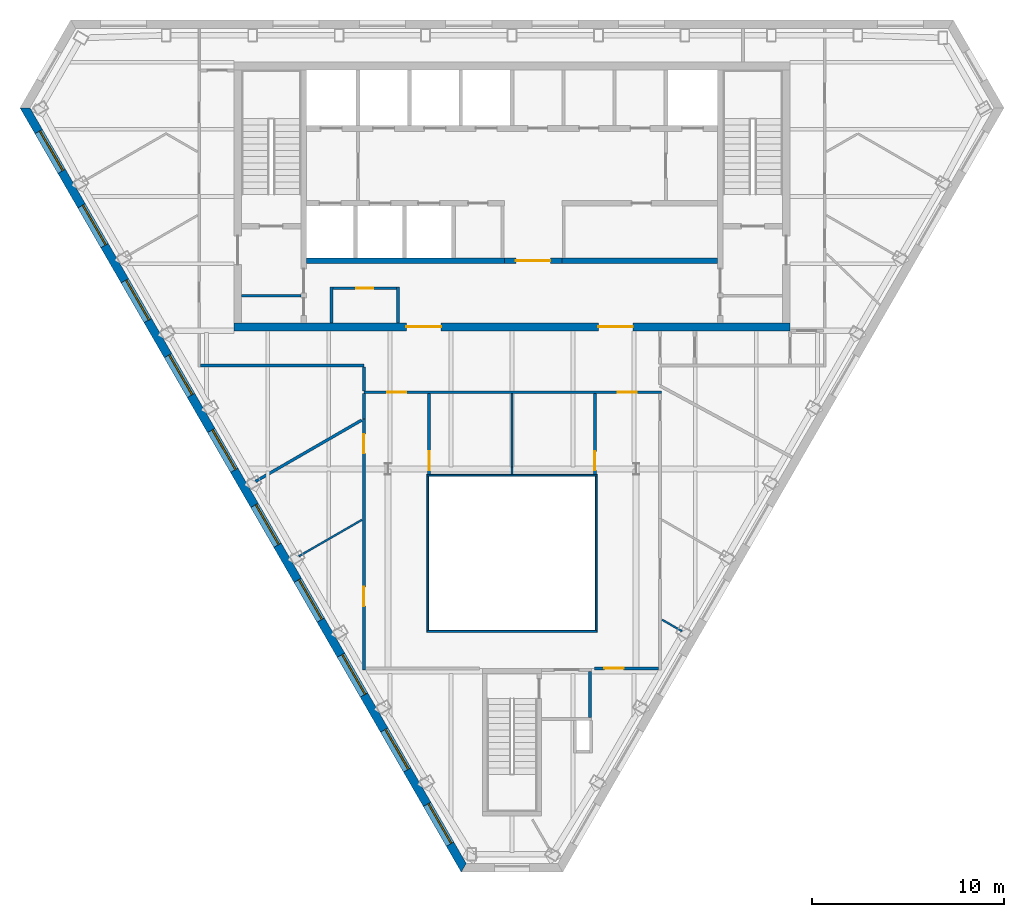
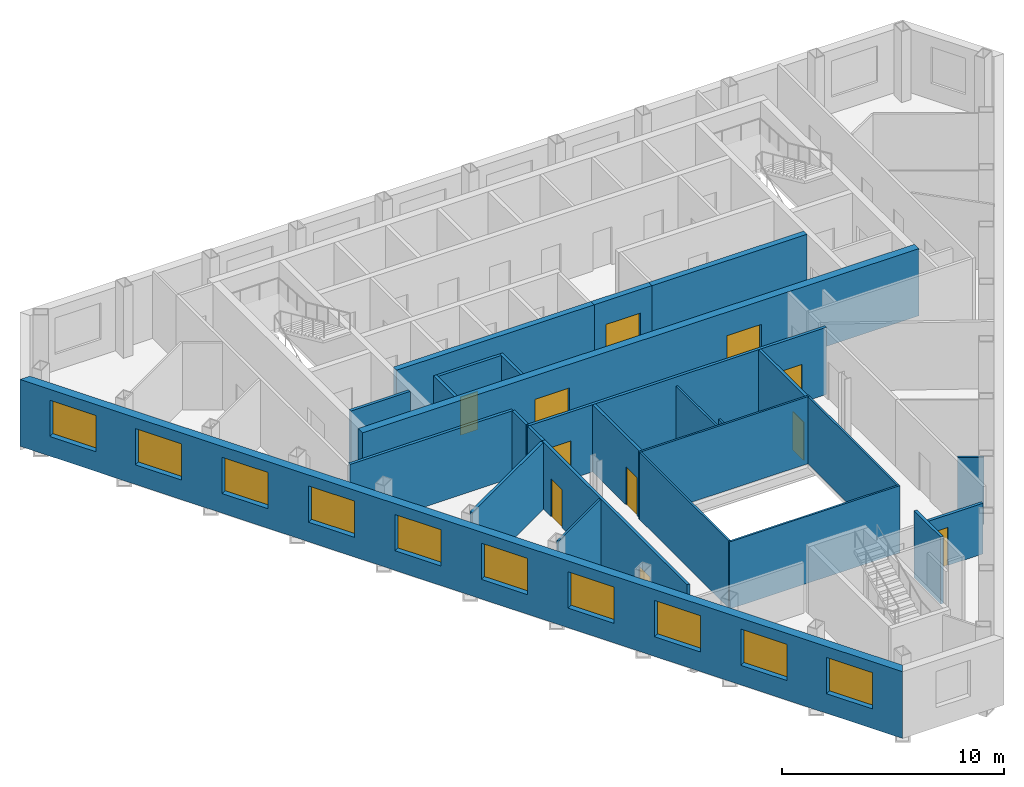
# One storey, part 4 of 10: 27 walls, 11 doors, 10 windows, 21 openings.
"""IFC4 building model written with IfcOpenShell, lengths in metres."""

import ifcopenshell
import ifcopenshell.guid

model = None  # the IFC model being written
_history = None  # IfcOwnerHistory: only IFC2X3 demands one
_inside = {}  # id of a spatial element -> (the spatial element, [elements in it])
_under = {}  # id of a project, library or spatial element -> (it, [spatial elements below it])
_declared = {}  # id of a project -> (the project, [libraries it declares])
_typed = {}  # id of a type object -> (the type object, [elements of that type])
_made_of = {}  # id of a material, layer set ... -> (it, [elements and type objects made of it])


def new_model(schema):
    """Start an empty IFC model of exactly this schema.

    Asked for "IFC4X3", IfcOpenShell would pick the latest addendum, in which some entities
    have other attributes; the version numbers below select the first issue.
    IFC2X3 requires an IfcOwnerHistory on every rooted entity: one is made here for all.
    """
    global model, _history
    if schema == "IFC4X3":
        model = ifcopenshell.file(schema_version=(4, 3, 0, 0))
    else:
        model = ifcopenshell.file(schema=schema)
    _inside.clear()
    _under.clear()
    _declared.clear()
    _typed.clear()
    _made_of.clear()
    _history = None
    if model.schema == "IFC2X3":
        org = make("IfcOrganization", Name="unknown")
        user = make(
            "IfcPersonAndOrganization",
            ThePerson=make("IfcPerson", FamilyName="unknown"),
            TheOrganization=org,
        )
        app = make(
            "IfcApplication",
            ApplicationDeveloper=org,
            Version="unknown",
            ApplicationFullName="unknown",
            ApplicationIdentifier="unknown",
        )
        _history = make(
            "IfcOwnerHistory",
            OwningUser=user,
            OwningApplication=app,
            ChangeAction="ADDED",
            CreationDate=0,
        )
    return model


def make(cls, **values):
    """One entity of the class cls with the attributes given. An attribute that is None is left unset."""
    return model.create_entity(
        cls, **{name: value for name, value in values.items() if value is not None}
    )


def rooted(cls, **values):
    """An entity with a GlobalId (a new one), such as an element, a storey or a relation."""
    return make(cls, GlobalId=ifcopenshell.guid.new(), OwnerHistory=_history, **values)


def si_unit(unit_type, name, prefix=None):
    """IfcSIUnit, for example si_unit("LENGTHUNIT", "METRE", prefix="MILLI")."""
    return make("IfcSIUnit", UnitType=unit_type, Prefix=prefix, Name=name)


def assignment(units):
    """IfcUnitAssignment: the units of a project."""
    return None if units is None else make("IfcUnitAssignment", Units=units)


def point(xyz):
    """IfcCartesianPoint."""
    return None if xyz is None else make("IfcCartesianPoint", Coordinates=xyz)


def direction(xyz):
    """IfcDirection."""
    return None if xyz is None else make("IfcDirection", DirectionRatios=xyz)


def frame(location, z_axis=None, x_axis=None):
    """IfcAxis2Placement3D, a coordinate frame: its origin and axes. An axis left out is left unset."""
    return make(
        "IfcAxis2Placement3D",
        Location=point(location),
        Axis=direction(z_axis),
        RefDirection=direction(x_axis),
    )


def frame_2d(location, x_axis=None):
    """IfcAxis2Placement2D, a coordinate frame in the plane: its origin and x axis."""
    return make(
        "IfcAxis2Placement2D", Location=point(location), RefDirection=direction(x_axis)
    )


def origin():
    """The frame at (0, 0, 0) with its axes left unset."""
    return frame((0.0, 0.0, 0.0))


def place(relative_to, where):
    """IfcLocalPlacement: puts the frame where relative to a parent placement (None: the world)."""
    return make(
        "IfcLocalPlacement", PlacementRelTo=relative_to, RelativePlacement=where
    )


def context(
    kind, dimensions, precision=None, world=None, true_north=None, identifier=None
):
    """IfcGeometricRepresentationContext, for example the 3D "Model" context."""
    return make(
        "IfcGeometricRepresentationContext",
        ContextIdentifier=identifier,
        ContextType=kind,
        CoordinateSpaceDimension=dimensions,
        Precision=precision,
        WorldCoordinateSystem=world,
        TrueNorth=true_north,
    )


def subcontext(parent, identifier, kind, view, scale=None):
    """IfcGeometricRepresentationSubContext, for example "Body" below "Model"."""
    return make(
        "IfcGeometricRepresentationSubContext",
        ContextIdentifier=identifier,
        ContextType=kind,
        ParentContext=parent,
        TargetScale=scale,
        TargetView=view,
    )


def project(units=None, contexts=None):
    """IfcProject with its units and contexts."""
    return rooted(
        "IfcProject",
        Name="project",
        RepresentationContexts=contexts,
        UnitsInContext=assignment(units),
    )


def spatial(cls, under=None, at=None, **own):
    """A site, building, storey or space (cls), placed at a placement, below another one or the project."""
    s = rooted(cls, ObjectPlacement=at, **own)
    if under is not None:
        _under.setdefault(under.id(), (under, []))[1].append(s)
    return s


def polyline(points):
    """IfcPolyline through the points."""
    return make("IfcPolyline", Points=[point(p) for p in points])


def profile(cls, at=None, kind="AREA", **sizes):
    """A parametric profile (cls). Its sizes go by their IFC names, for example OverallWidth=200.0."""
    return make(cls, ProfileType=kind, Position=at, **sizes)


def rectangle(**sizes):
    """IfcRectangleProfileDef."""
    return profile("IfcRectangleProfileDef", **sizes)


def outline(outer, holes=None, kind="AREA"):
    """IfcArbitraryClosedProfileDef: a profile drawn as a closed curve; with holes, ...WithVoids."""
    if holes is None:
        return make("IfcArbitraryClosedProfileDef", ProfileType=kind, OuterCurve=outer)
    return make(
        "IfcArbitraryProfileDefWithVoids",
        ProfileType=kind,
        OuterCurve=outer,
        InnerCurves=holes,
    )


def extrude(swept, where, along, depth):
    """IfcExtrudedAreaSolid: the profile swept, set in the frame where, extruded along a direction by depth."""
    return make(
        "IfcExtrudedAreaSolid",
        SweptArea=swept,
        Position=where,
        ExtrudedDirection=direction(along),
        Depth=depth,
    )


def shape(context_of_items, identifier, shape_type, items):
    """IfcShapeRepresentation: the items that make up one representation, for example the "Body"."""
    return make(
        "IfcShapeRepresentation",
        ContextOfItems=context_of_items,
        RepresentationIdentifier=identifier,
        RepresentationType=shape_type,
        Items=items,
    )


def material(Name=None, Category=None):
    """IfcMaterial."""
    return make("IfcMaterial", Name=Name, Category=Category)


def layer(
    of_material, thickness, ventilated=None, Name=None, Category=None, Priority=None
):
    """IfcMaterialLayer: one layer of a wall or slab, of a material (None: an air gap)."""
    return make(
        "IfcMaterialLayer",
        Material=of_material,
        LayerThickness=thickness,
        IsVentilated=ventilated,
        Name=Name,
        Category=Category,
        Priority=Priority,
    )


def layer_set(layers, Name=None):
    """IfcMaterialLayerSet."""
    return make("IfcMaterialLayerSet", MaterialLayers=layers, LayerSetName=Name)


def made_of(thing, what):
    """Note that an element or type object is made of a material, layer set ...; save() writes the relation."""
    if what is not None:
        _made_of.setdefault(what.id(), (what, []))[1].append(thing)
    return thing


def type_object(cls, material=None, **own):
    """A type object (cls), such as IfcWallType, which elements share."""
    return made_of(rooted(cls, **own), material)


def element(
    cls,
    number,
    at=None,
    inside=None,
    cuts=None,
    type_object=None,
    material=None,
    context=None,
    identifier="Body",
    shape_type=None,
    held_by="IfcProductDefinitionShape",
    body=None,
    shapes=None,
    **own,
):
    """One element of the class cls, such as IfcWall. Its Tag is "e" and its number.

    at: its placement. inside: the storey or other place that contains it. cuts: it is an
    opening in that element (IfcRelVoidsElement). A single representation is given by context,
    identifier, shape_type and body (its items); several are given by shapes. held_by: the class
    of the entity that holds the representations. save() writes the other relations.
    """
    e = rooted(cls, Tag="e%d" % number, ObjectPlacement=at, **own)
    if body is not None:
        shapes = [shape(context, identifier, shape_type, body)]
    if shapes is not None:
        e.Representation = make(held_by, Representations=shapes)
    if inside is not None:
        _inside.setdefault(inside.id(), (inside, []))[1].append(e)
    if cuts is not None:
        rooted(
            "IfcRelVoidsElement", RelatingBuildingElement=cuts, RelatedOpeningElement=e
        )
    if type_object is not None:
        _typed.setdefault(type_object.id(), (type_object, []))[1].append(e)
    return made_of(e, material)


def fill(opening, filler):
    """IfcRelFillsElement: the door or window that sits in an opening."""
    return rooted(
        "IfcRelFillsElement",
        RelatingOpeningElement=opening,
        RelatedBuildingElement=filler,
    )


def aggregate(whole, parts):
    """IfcRelAggregates: a whole, such as a stair, and the parts it consists of."""
    return rooted("IfcRelAggregates", RelatingObject=whole, RelatedObjects=parts)


def save(model, path):
    """Write the relations noted so far, then the file.

    IfcRelAggregates (storeys below a building ...), IfcRelContainedInSpatialStructure (elements
    in a storey), IfcRelDefinesByType, IfcRelAssociatesMaterial and IfcRelDeclares: one each for
    every whole, place, type object, material and project.
    """
    for whole, parts in _under.values():
        aggregate(whole, parts)
    for where, things in _inside.values():
        rooted(
            "IfcRelContainedInSpatialStructure",
            RelatedElements=things,
            RelatingStructure=where,
        )
    for kind, things in _typed.values():
        rooted("IfcRelDefinesByType", RelatedObjects=things, RelatingType=kind)
    for what, things in _made_of.values():
        rooted("IfcRelAssociatesMaterial", RelatedObjects=things, RelatingMaterial=what)
    for by, libraries in _declared.values():
        rooted("IfcRelDeclares", RelatingContext=by, RelatedDefinitions=libraries)
    model.write(path)


model = new_model("IFC4")

# Units and contexts
model_context = context("Model", 3, precision=1e-05, world=origin(), true_north=direction((0.0, 1.0)))
body_context = subcontext(model_context, "Body", "Model", "MODEL_VIEW")
ifc_project = project(units=[si_unit("LENGTHUNIT", "METRE"), si_unit("AREAUNIT", "SQUARE_METRE"), si_unit("VOLUMEUNIT", "CUBIC_METRE"), si_unit("PLANEANGLEUNIT", "RADIAN"), si_unit("MASSUNIT", "GRAM", prefix="KILO")], contexts=[model_context])

# Site, building, storey
site_placement = place(None, origin())
site = spatial("IfcSite", under=ifc_project, at=site_placement, CompositionType="ELEMENT")
building_placement = place(site_placement, origin())
building = spatial("IfcBuilding", under=site, at=building_placement, Name="Njiva Tower", CompositionType="ELEMENT")
storey_placement = place(building_placement, frame((0.0, 0.0, 280.5)))
storey = spatial("IfcBuildingStorey", under=building, at=storey_placement, Name="L64", CompositionType="ELEMENT", Elevation=280.5)

# Walls
ifc_material_1 = material(Name="Blockwork", Category="masonry")
ifc_layer_1 = layer(ifc_material_1, 0.15)
ifc_layer_set_1 = layer_set([ifc_layer_1], Name="Blockwork")
wall_type_1 = type_object("IfcWallType", Name="WT1 Compartment partition 150", PredefinedType="PARTITIONING", material=ifc_layer_set_1)
wall_1_placement = place(storey_placement, frame((-14.1, 5.825, 0.0), z_axis=(0.0, 0.0, 1.0), x_axis=(1.0, 0.0, 0.0)))
element("IfcWall", 1, at=wall_1_placement, inside=storey, type_object=wall_type_1, Name="Room wall A", PredefinedType="PARTITIONING", context=body_context, shape_type="SweptSolid", body=[
    extrude(rectangle(XDim=3.1, YDim=0.15, at=frame_2d((1.55, 0.0))), origin(), (0.0, 0.0, 1.0), 3.7),
])
for number, where, z_axis, x_axis, name in (
    (2, (-9.4, 4.4, 0.0), (0.0, 0.0, 1.0), (0.0, 1.0, 0.0), "Parcel room wall west"),
    (3, (-5.95, 4.4, 0.0), (0.0, 0.0, 1.0), (0.0, 1.0, 0.0), "Parcel room wall east"),
):
    element("IfcWall", number, at=place(storey_placement, frame(where, z_axis=z_axis, x_axis=x_axis)), inside=storey, type_object=wall_type_1, Name=name, PredefinedType="PARTITIONING", context=body_context, shape_type="SweptSolid", body=[
        extrude(rectangle(XDim=1.895, YDim=0.15, at=frame_2d((0.9475, 0.0))), origin(), (0.0, 0.0, 1.0), 3.7),
    ])

# Wall, opening, door
wall_2_placement = place(storey_placement, frame((-9.325, 6.22, 0.0), z_axis=(0.0, 0.0, 1.0), x_axis=(1.0, 0.0, 0.0)))
wall_2 = element("IfcWall", 4, at=wall_2_placement, inside=storey, type_object=wall_type_1, Name="Parcel room wall north", PredefinedType="PARTITIONING", context=body_context, shape_type="SweptSolid", body=[
    extrude(rectangle(XDim=3.3, YDim=0.15, at=frame_2d((1.65, 0.0))), origin(), (0.0, 0.0, 1.0), 3.7),
])
opening_1_placement = place(wall_2_placement, frame((1.2, 0.0, 0.0)))
opening_1 = element("IfcOpeningElement", 5, at=opening_1_placement, cuts=wall_2, Name="Opening S21-D924", PredefinedType="OPENING", context=body_context, shape_type="SweptSolid", body=[
    extrude(rectangle(XDim=0.9, YDim=2.1, at=frame_2d((0.45, 1.05))), frame((0.0, 0.085, 0.0), z_axis=(0.0, -1.0, 0.0), x_axis=(1.0, 0.0, 0.0)), (0.0, 0.0, 1.0), 0.17),
])
ifc_material_2 = material(Name="Steel fire door, painted", Category="steel")
door_type_1 = type_object("IfcDoorType", Name="D6 Fire-rated door 900x2100", OperationType="SINGLE_SWING_LEFT", PredefinedType="DOOR", material=ifc_material_2)
door_1_placement = place(opening_1_placement, origin())
door_1 = element("IfcDoor", 6, at=door_1_placement, inside=storey, type_object=door_type_1, Name="Parcel room door", OperationType="SINGLE_SWING_RIGHT", OverallHeight=2.1, OverallWidth=0.9, PredefinedType="DOOR", context=body_context, shape_type="SweptSolid", body=[
    extrude(rectangle(XDim=0.9, YDim=2.1, at=frame_2d((0.45, 1.05))), frame((0.0, 0.025, 0.0), z_axis=(0.0, -1.0, 0.0), x_axis=(1.0, 0.0, 0.0)), (0.0, 0.0, 1.0), 0.05),
])
fill(opening_1, door_1)

# Wall, openings, doors
ifc_material_3 = material(Name="Concrete C60/75", Category="concrete")
ifc_layer_2 = layer(ifc_material_3, 0.4)
ifc_layer_set_2 = layer_set([ifc_layer_2], Name="Concrete C60/75")
wall_type_2 = type_object("IfcWallType", Name="WT11 Core wall 400", PredefinedType="SHEAR", material=ifc_layer_set_2)
wall_3_placement = place(storey_placement, frame((-14.5, 4.2, 0.0), z_axis=(0.0, 0.0, 1.0), x_axis=(1.0, 0.0, 0.0)))
wall_3 = element("IfcWall", 7, at=wall_3_placement, inside=storey, type_object=wall_type_2, Name="Core wall south", PredefinedType="SHEAR", context=body_context, shape_type="SweptSolid", body=[
    extrude(rectangle(XDim=29.0, YDim=0.4, at=frame_2d((14.5, 0.0))), origin(), (0.0, 0.0, 1.0), 3.7),
])
opening_2_placement = place(wall_3_placement, frame((9.0, 0.0, 0.0)))
opening_2 = element("IfcOpeningElement", 8, at=opening_2_placement, cuts=wall_3, Name="Opening S21-D926", PredefinedType="OPENING", context=body_context, shape_type="SweptSolid", body=[
    extrude(rectangle(XDim=1.8, YDim=2.4, at=frame_2d((0.9, 1.2))), frame((0.0, 0.21, 0.0), z_axis=(0.0, -1.0, 0.0), x_axis=(1.0, 0.0, 0.0)), (0.0, 0.0, 1.0), 0.42),
])
opening_3_placement = place(wall_3_placement, frame((19.0, 0.0, 0.0)))
opening_3 = element("IfcOpeningElement", 9, at=opening_3_placement, cuts=wall_3, Name="Opening S21-D927", PredefinedType="OPENING", context=body_context, shape_type="SweptSolid", body=[
    extrude(rectangle(XDim=1.8, YDim=2.4, at=frame_2d((0.9, 1.2))), frame((0.0, 0.21, 0.0), z_axis=(0.0, -1.0, 0.0), x_axis=(1.0, 0.0, 0.0)), (0.0, 0.0, 1.0), 0.42),
])
ifc_material_4 = material(Name="Steel and glass door", Category="steel")
door_type_2 = type_object("IfcDoorType", Name="D3 Core entrance door 1800x2400", OperationType="DOUBLE_DOOR_SINGLE_SWING", PredefinedType="DOOR", material=ifc_material_4)
door_2_placement = place(opening_2_placement, origin())
door_2 = element("IfcDoor", 10, at=door_2_placement, inside=storey, type_object=door_type_2, Name="Core entrance door", OperationType="DOUBLE_DOOR_SINGLE_SWING", OverallHeight=2.4, OverallWidth=1.8, PredefinedType="DOOR", context=body_context, shape_type="SweptSolid", body=[
    extrude(rectangle(XDim=1.8, YDim=2.4, at=frame_2d((0.9, 1.2))), frame((0.0, 0.025, 0.0), z_axis=(0.0, -1.0, 0.0), x_axis=(1.0, 0.0, 0.0)), (0.0, 0.0, 1.0), 0.05),
])
fill(opening_2, door_2)
door_3_placement = place(opening_3_placement, origin())
door_3 = element("IfcDoor", 11, at=door_3_placement, inside=storey, type_object=door_type_2, Name="Core entrance door", OperationType="DOUBLE_DOOR_SINGLE_SWING", OverallHeight=2.4, OverallWidth=1.8, PredefinedType="DOOR", context=body_context, shape_type="SweptSolid", body=[
    extrude(rectangle(XDim=1.8, YDim=2.4, at=frame_2d((0.9, 1.2))), frame((0.0, 0.025, 0.0), z_axis=(0.0, -1.0, 0.0), x_axis=(1.0, 0.0, 0.0)), (0.0, 0.0, 1.0), 0.05),
])
fill(opening_3, door_3)

# Walls
ifc_material_5 = material(Name="Gypsum board on steel studs", Category="gypsum")
ifc_layer_3 = layer(ifc_material_5, 0.1)
ifc_layer_set_3 = layer_set([ifc_layer_3], Name="Gypsum board on steel studs")
wall_type_3 = type_object("IfcWallType", Name="WT20 Gypsum partition 100", PredefinedType="PARTITIONING", material=ifc_layer_set_3)
wall_4_placement = place(storey_placement, frame((-11.112, -7.753, 0.0), z_axis=(0.0, 0.0, 1.0), x_axis=(0.86609797283, 0.499874285655, 0.0)))
element("IfcWall", 12, at=wall_4_placement, inside=storey, type_object=wall_type_3, Name="Partition S21-P009", PredefinedType="PARTITIONING", context=body_context, shape_type="SweptSolid", body=[
    extrude(rectangle(XDim=3.801, YDim=0.1, at=frame_2d((1.9005, 0.0))), origin(), (0.0, 0.0, 1.0), 3.7),
])
wall_5_placement = place(storey_placement, frame((-0.001, 0.725, 0.0), z_axis=(0.0, 0.0, 1.0), x_axis=(0.000235294111, -0.999999972318, 0.0)))
element("IfcWall", 13, at=wall_5_placement, inside=storey, type_object=wall_type_3, Name="Partition S21-P016", PredefinedType="PARTITIONING", context=body_context, shape_type="SweptSolid", body=[
    extrude(rectangle(XDim=3.825, YDim=0.1, at=frame_2d((1.9125, 0.0))), origin(), (0.0, 0.0, 1.0), 3.2),
])
wall_6_placement = place(storey_placement, frame((-0.0001, -3.1, 0.0), z_axis=(0.0, 0.0, 1.0), x_axis=(0.000263157886, -0.999999965374, 0.0)))
element("IfcWall", 14, at=wall_6_placement, inside=storey, type_object=wall_type_3, Name="Partition S21-P016A", PredefinedType="PARTITIONING", context=body_context, shape_type="SweptSolid", body=[
    extrude(rectangle(XDim=0.38, YDim=0.1, at=frame_2d((0.19, 0.0))), origin(), (0.0, 0.0, 1.0), 3.7),
])
wall_7_placement = place(storey_placement, frame((7.82, -11.058, 0.0), z_axis=(0.0, 0.0, 1.0), x_axis=(0.866130014302, -0.499818765479, 0.0)))
element("IfcWall", 15, at=wall_7_placement, inside=storey, type_object=wall_type_3, Name="Partition S21-P027", PredefinedType="PARTITIONING", context=body_context, shape_type="SweptSolid", body=[
    extrude(rectangle(XDim=1.1984, YDim=0.1, at=frame_2d((0.5992, 0.0))), origin(), (0.0, 0.0, 1.0), 3.7),
])
ifc_layer_4 = layer(ifc_material_5, 0.15)
ifc_layer_set_4 = layer_set([ifc_layer_4], Name="Gypsum board on steel studs")
wall_type_4 = type_object("IfcWallType", Name="WT21 Compartment wall 150", PredefinedType="PARTITIONING", material=ifc_layer_set_4)
wall_8_placement = place(storey_placement, frame((-16.225, 2.2, 0.0), z_axis=(0.0, 0.0, 1.0), x_axis=(1.0, 0.0, 0.0)))
element("IfcWall", 16, at=wall_8_placement, inside=storey, type_object=wall_type_4, Name="Partition S21-P006", PredefinedType="PARTITIONING", context=body_context, shape_type="SweptSolid", body=[
    extrude(rectangle(XDim=8.503, YDim=0.15, at=frame_2d((4.2515, 0.0))), origin(), (0.0, 0.0, 1.0), 3.7),
])
wall_9_placement = place(storey_placement, frame((-13.366, -3.85, 0.0), z_axis=(0.0, 0.0, 1.0), x_axis=(0.865990094875, 0.500061151839, 0.0)))
element("IfcWall", 17, at=wall_9_placement, inside=storey, type_object=wall_type_4, Name="Partition S21-P008", PredefinedType="PARTITIONING", context=body_context, shape_type="SweptSolid", body=[
    extrude(rectangle(XDim=6.3892, YDim=0.15, at=frame_2d((3.1946, 0.0))), origin(), (0.0, 0.0, 1.0), 3.7),
])

# Wall, openings, doors
wall_10_placement = place(storey_placement, frame((-7.72, -13.675, 0.0), z_axis=(0.0, 0.0, 1.0), x_axis=(0.0, 1.0, 0.0)))
wall_10 = element("IfcWall", 18, at=wall_10_placement, inside=storey, type_object=wall_type_4, Name="Partition S21-P010", PredefinedType="PARTITIONING", context=body_context, shape_type="SweptSolid", body=[
    extrude(rectangle(XDim=13.085, YDim=0.15, at=frame_2d((6.5425, 0.0))), origin(), (0.0, 0.0, 1.0), 3.7),
])
opening_4_placement = place(wall_10_placement, frame((3.327, 0.0, 0.0)))
opening_4 = element("IfcOpeningElement", 19, at=opening_4_placement, cuts=wall_10, Name="Opening S21-D005", PredefinedType="OPENING", context=body_context, shape_type="SweptSolid", body=[
    extrude(rectangle(XDim=1.0, YDim=2.1, at=frame_2d((0.5, 1.05))), frame((0.0, 0.085, 0.0), z_axis=(0.0, -1.0, 0.0), x_axis=(1.0, 0.0, 0.0)), (0.0, 0.0, 1.0), 0.17),
])
opening_5_placement = place(wall_10_placement, frame((11.284, 0.0, 0.0)))
opening_5 = element("IfcOpeningElement", 20, at=opening_5_placement, cuts=wall_10, Name="Opening S21-D006", PredefinedType="OPENING", context=body_context, shape_type="SweptSolid", body=[
    extrude(rectangle(XDim=1.0, YDim=2.1, at=frame_2d((0.5, 1.05))), frame((0.0, 0.085, 0.0), z_axis=(0.0, -1.0, 0.0), x_axis=(1.0, 0.0, 0.0)), (0.0, 0.0, 1.0), 0.17),
])
ifc_material_6 = material(Name="Steel fire door set", Category="steel")
door_type_3 = type_object("IfcDoorType", Name="D37 Fire door 1000x2100", OperationType="SINGLE_SWING_LEFT", PredefinedType="DOOR", material=ifc_material_6)
door_4_placement = place(opening_4_placement, origin())
door_4 = element("IfcDoor", 21, at=door_4_placement, inside=storey, type_object=door_type_3, Name="Door S21-D005", OperationType="SINGLE_SWING_RIGHT", OverallHeight=2.1, OverallWidth=1.0, PredefinedType="DOOR", context=body_context, shape_type="SweptSolid", body=[
    extrude(rectangle(XDim=1.0, YDim=2.1, at=frame_2d((0.5, 1.05))), frame((0.0, 0.025, 0.0), z_axis=(0.0, -1.0, 0.0), x_axis=(1.0, 0.0, 0.0)), (0.0, 0.0, 1.0), 0.05),
])
fill(opening_4, door_4)
door_5_placement = place(opening_5_placement, origin())
door_5 = element("IfcDoor", 22, at=door_5_placement, inside=storey, type_object=door_type_3, Name="Door S21-D006", OperationType="SINGLE_SWING_LEFT", OverallHeight=2.1, OverallWidth=1.0, PredefinedType="DOOR", context=body_context, shape_type="SweptSolid", body=[
    extrude(rectangle(XDim=1.0, YDim=2.1, at=frame_2d((0.5, 1.05))), frame((0.0, 0.025, 0.0), z_axis=(0.0, -1.0, 0.0), x_axis=(1.0, 0.0, 0.0)), (0.0, 0.0, 1.0), 0.05),
])
fill(opening_5, door_5)

# Wall
wall_11_placement = place(storey_placement, frame((-7.72, -0.588, 0.0), z_axis=(0.0, 0.0, 1.0), x_axis=(0.0, 1.0, 0.0)))
element("IfcWall", 23, at=wall_11_placement, inside=storey, type_object=wall_type_4, Name="Partition S21-P011", PredefinedType="PARTITIONING", context=body_context, shape_type="SweptSolid", body=[
    extrude(rectangle(XDim=1.313, YDim=0.15, at=frame_2d((0.6565, 0.0))), origin(), (0.0, 0.0, 1.0), 3.7),
])

# Wall, openings, doors
wall_12_placement = place(storey_placement, frame((-7.72, 0.8, 0.0), z_axis=(0.0, 0.0, 1.0), x_axis=(1.0, 0.0, 0.0)))
wall_12 = element("IfcWall", 24, at=wall_12_placement, inside=storey, type_object=wall_type_4, Name="Partition S21-P012", PredefinedType="PARTITIONING", context=body_context, shape_type="SweptSolid", body=[
    extrude(rectangle(XDim=15.515, YDim=0.15, at=frame_2d((7.7575, 0.0))), origin(), (0.0, 0.0, 1.0), 3.7),
])
opening_6_placement = place(wall_12_placement, frame((1.206, 0.0, 0.0)))
opening_6 = element("IfcOpeningElement", 25, at=opening_6_placement, cuts=wall_12, Name="Opening S21-D007", PredefinedType="OPENING", context=body_context, shape_type="SweptSolid", body=[
    extrude(rectangle(XDim=1.0, YDim=2.1, at=frame_2d((0.5, 1.05))), frame((0.0, 0.085, 0.0), z_axis=(0.0, -1.0, 0.0), x_axis=(1.0, 0.0, 0.0)), (0.0, 0.0, 1.0), 0.17),
])
opening_7_placement = place(wall_12_placement, frame((13.234, 0.0, 0.0)))
opening_7 = element("IfcOpeningElement", 26, at=opening_7_placement, cuts=wall_12, Name="Opening S21-D008", PredefinedType="OPENING", context=body_context, shape_type="SweptSolid", body=[
    extrude(rectangle(XDim=1.0, YDim=2.1, at=frame_2d((0.5, 1.05))), frame((0.0, 0.085, 0.0), z_axis=(0.0, -1.0, 0.0), x_axis=(1.0, 0.0, 0.0)), (0.0, 0.0, 1.0), 0.17),
])
door_6_placement = place(opening_6_placement, origin())
door_6 = element("IfcDoor", 27, at=door_6_placement, inside=storey, type_object=door_type_3, Name="Door S21-D007", OperationType="SINGLE_SWING_RIGHT", OverallHeight=2.1, OverallWidth=1.0, PredefinedType="DOOR", context=body_context, shape_type="SweptSolid", body=[
    extrude(rectangle(XDim=1.0, YDim=2.1, at=frame_2d((0.5, 1.05))), frame((0.0, 0.025, 0.0), z_axis=(0.0, -1.0, 0.0), x_axis=(1.0, 0.0, 0.0)), (0.0, 0.0, 1.0), 0.05),
])
fill(opening_6, door_6)
door_7_placement = place(opening_7_placement, origin())
door_7 = element("IfcDoor", 28, at=door_7_placement, inside=storey, type_object=door_type_3, Name="Door S21-D008", OperationType="SINGLE_SWING_LEFT", OverallHeight=2.1, OverallWidth=1.0, PredefinedType="DOOR", context=body_context, shape_type="SweptSolid", body=[
    extrude(rectangle(XDim=1.0, YDim=2.1, at=frame_2d((0.5, 1.05))), frame((0.0, 0.025, 0.0), z_axis=(0.0, -1.0, 0.0), x_axis=(1.0, 0.0, 0.0)), (0.0, 0.0, 1.0), 0.05),
])
fill(opening_7, door_7)

# Wall
wall_13_placement = place(storey_placement, frame((-7.72, 0.875, 0.0), z_axis=(0.0, 0.0, 1.0), x_axis=(0.0, 1.0, 0.0)))
element("IfcWall", 29, at=wall_13_placement, inside=storey, type_object=wall_type_4, Name="Partition S21-P013", PredefinedType="PARTITIONING", context=body_context, shape_type="SweptSolid", body=[
    extrude(rectangle(XDim=1.25, YDim=0.15, at=frame_2d((0.625, 0.0))), origin(), (0.0, 0.0, 1.0), 3.7),
])

# Wall, opening, door
wall_14_placement = place(storey_placement, frame((-4.32, -3.48, 0.0), z_axis=(0.0, 0.0, 1.0), x_axis=(0.0, 1.0, 0.0)))
wall_14 = element("IfcWall", 30, at=wall_14_placement, inside=storey, type_object=wall_type_4, Name="Partition S21-P015", PredefinedType="PARTITIONING", context=body_context, shape_type="SweptSolid", body=[
    extrude(rectangle(XDim=4.205, YDim=0.15, at=frame_2d((2.1025, 0.0))), origin(), (0.0, 0.0, 1.0), 3.7),
])
opening_8_placement = place(wall_14_placement, frame((0.2, 0.0, 0.0)))
opening_8 = element("IfcOpeningElement", 31, at=opening_8_placement, cuts=wall_14, Name="Opening S21-D009", PredefinedType="OPENING", context=body_context, shape_type="SweptSolid", body=[
    extrude(rectangle(XDim=1.0, YDim=2.1, at=frame_2d((0.5, 1.05))), frame((0.0, 0.085, 0.0), z_axis=(0.0, -1.0, 0.0), x_axis=(1.0, 0.0, 0.0)), (0.0, 0.0, 1.0), 0.17),
])
door_8_placement = place(opening_8_placement, origin())
door_8 = element("IfcDoor", 32, at=door_8_placement, inside=storey, type_object=door_type_3, Name="Door S21-D009", OperationType="SINGLE_SWING_LEFT", OverallHeight=2.1, OverallWidth=1.0, PredefinedType="DOOR", context=body_context, shape_type="SweptSolid", body=[
    extrude(rectangle(XDim=1.0, YDim=2.1, at=frame_2d((0.5, 1.05))), frame((0.0, 0.025, 0.0), z_axis=(0.0, -1.0, 0.0), x_axis=(1.0, 0.0, 0.0)), (0.0, 0.0, 1.0), 0.05),
])
fill(opening_8, door_8)

wall_15_placement = place(storey_placement, frame((4.3, -13.6, 0.0), z_axis=(0.0, 0.0, 1.0), x_axis=(1.0, 0.0, 0.0)))
wall_15 = element("IfcWall", 33, at=wall_15_placement, inside=storey, type_object=wall_type_4, Name="Partition S21-P018", PredefinedType="PARTITIONING", context=body_context, shape_type="SweptSolid", body=[
    extrude(rectangle(XDim=3.345, YDim=0.15, at=frame_2d((1.6725, 0.0))), origin(), (0.0, 0.0, 1.0), 2.79),
])
opening_9_placement = place(wall_15_placement, frame((0.514, 0.0, 0.0)))
opening_9 = element("IfcOpeningElement", 34, at=opening_9_placement, cuts=wall_15, Name="Opening S21-D010", PredefinedType="OPENING", context=body_context, shape_type="SweptSolid", body=[
    extrude(rectangle(XDim=1.0, YDim=2.1, at=frame_2d((0.5, 1.05))), frame((0.0, 0.085, 0.0), z_axis=(0.0, -1.0, 0.0), x_axis=(1.0, 0.0, 0.0)), (0.0, 0.0, 1.0), 0.17),
])
door_9_placement = place(opening_9_placement, origin())
door_9 = element("IfcDoor", 35, at=door_9_placement, inside=storey, type_object=door_type_3, Name="Door S21-D010", OperationType="SINGLE_SWING_LEFT", OverallHeight=2.1, OverallWidth=1.0, PredefinedType="DOOR", context=body_context, shape_type="SweptSolid", body=[
    extrude(rectangle(XDim=1.0, YDim=2.1, at=frame_2d((0.5, 1.05))), frame((0.0, 0.025, 0.0), z_axis=(0.0, -1.0, 0.0), x_axis=(1.0, 0.0, 0.0)), (0.0, 0.0, 1.0), 0.05),
])
fill(opening_9, door_9)

wall_16_placement = place(storey_placement, frame((4.319, 0.725, 0.0), z_axis=(0.0, 0.0, 1.0), x_axis=(0.000237812122, -0.999999971723, 0.0)))
wall_16 = element("IfcWall", 36, at=wall_16_placement, inside=storey, type_object=wall_type_4, Name="Partition S21-P019", PredefinedType="PARTITIONING", context=body_context, shape_type="SweptSolid", body=[
    extrude(rectangle(XDim=4.205, YDim=0.15, at=frame_2d((2.1025, 0.0))), origin(), (0.0, 0.0, 1.0), 3.7),
])
opening_10_placement = place(wall_16_placement, frame((3.005, 0.0, 0.0)))
opening_10 = element("IfcOpeningElement", 37, at=opening_10_placement, cuts=wall_16, Name="Opening S21-D011", PredefinedType="OPENING", context=body_context, shape_type="SweptSolid", body=[
    extrude(rectangle(XDim=1.0, YDim=2.1, at=frame_2d((0.5, 1.05))), frame((0.0, 0.085, 0.0), z_axis=(0.0, -1.0, 0.0), x_axis=(1.0, 0.0, 0.0)), (0.0, 0.0, 1.0), 0.17),
])
door_10_placement = place(opening_10_placement, origin())
door_10 = element("IfcDoor", 38, at=door_10_placement, inside=storey, type_object=door_type_3, Name="Door S21-D011", OperationType="SINGLE_SWING_RIGHT", OverallHeight=2.1, OverallWidth=1.0, PredefinedType="DOOR", context=body_context, shape_type="SweptSolid", body=[
    extrude(rectangle(XDim=1.0, YDim=2.1, at=frame_2d((0.5, 1.05))), frame((0.0, 0.025, 0.0), z_axis=(0.0, -1.0, 0.0), x_axis=(1.0, 0.0, 0.0)), (0.0, 0.0, 1.0), 0.05),
])
fill(opening_10, door_10)

# Wall
ifc_layer_5 = layer(ifc_material_1, 0.15)
ifc_layer_set_5 = layer_set([ifc_layer_5], Name="Blockwork")
wall_type_5 = type_object("IfcWallType", Name="WT4 Stair partition 150", PredefinedType="PARTITIONING", material=ifc_layer_set_5)
wall_17_placement = place(storey_placement, frame((4.075, -16.15, 0.0), z_axis=(0.0, 0.0, 1.0), x_axis=(0.0, 1.0, 0.0)))
element("IfcWall", 39, at=wall_17_placement, inside=storey, type_object=wall_type_5, Name="Stair C vestibule wall east", PredefinedType="PARTITIONING", context=body_context, shape_type="SweptSolid", body=[
    extrude(rectangle(XDim=2.4, YDim=0.15, at=frame_2d((1.2, 0.0))), origin(), (0.0, 0.0, 1.0), 3.7),
])

# Wall, opening, door
ifc_layer_6 = layer(ifc_material_1, 0.3)
ifc_layer_set_6 = layer_set([ifc_layer_6], Name="Blockwork")
wall_type_6 = type_object("IfcWallType", Name="WT5 Lobby partition 300", PredefinedType="PARTITIONING", material=ifc_layer_set_6)
wall_18_placement = place(storey_placement, frame((-0.4, 7.65, 0.0), z_axis=(0.0, 0.0, 1.0), x_axis=(1.0, 0.0, 0.0)))
wall_18 = element("IfcWall", 40, at=wall_18_placement, inside=storey, type_object=wall_type_6, Name="Lift lobby screen wall", PredefinedType="PARTITIONING", context=body_context, shape_type="SweptSolid", body=[
    extrude(rectangle(XDim=3.0, YDim=0.3, at=frame_2d((1.5, 0.0))), origin(), (0.0, 0.0, 1.0), 3.7),
])
opening_11_placement = place(wall_18_placement, frame((0.6, 0.0, 0.0)))
opening_11 = element("IfcOpeningElement", 41, at=opening_11_placement, cuts=wall_18, Name="Opening S21-D925", PredefinedType="OPENING", context=body_context, shape_type="SweptSolid", body=[
    extrude(rectangle(XDim=1.8, YDim=2.4, at=frame_2d((0.9, 1.2))), frame((0.0, 0.16, 0.0), z_axis=(0.0, -1.0, 0.0), x_axis=(1.0, 0.0, 0.0)), (0.0, 0.0, 1.0), 0.32),
])
door_11_placement = place(opening_11_placement, origin())
door_11 = element("IfcDoor", 42, at=door_11_placement, inside=storey, type_object=door_type_2, Name="Core entrance door", OperationType="DOUBLE_DOOR_SINGLE_SWING", OverallHeight=2.4, OverallWidth=1.8, PredefinedType="DOOR", context=body_context, shape_type="SweptSolid", body=[
    extrude(rectangle(XDim=1.8, YDim=2.4, at=frame_2d((0.9, 1.2))), frame((0.0, 0.025, 0.0), z_axis=(0.0, -1.0, 0.0), x_axis=(1.0, 0.0, 0.0)), (0.0, 0.0, 1.0), 0.05),
])
fill(opening_11, door_11)

# Walls
ifc_material_7 = material(Name="Concrete C40/50", Category="concrete")
ifc_layer_7 = layer(ifc_material_7, 0.3)
ifc_layer_set_7 = layer_set([ifc_layer_7], Name="Concrete C40/50")
wall_type_7 = type_object("IfcWallType", Name="WT7 Lift shaft wall 300", PredefinedType="SHEAR", material=ifc_layer_set_7)
wall_19_placement = place(storey_placement, frame((-10.7, 7.65, 0.0), z_axis=(0.0, 0.0, 1.0), x_axis=(1.0, 0.0, 0.0)))
element("IfcWall", 43, at=wall_19_placement, inside=storey, type_object=wall_type_7, Name="Shaft wall south row back W", PredefinedType="SHEAR", context=body_context, shape_type="SweptSolid", body=[
    extrude(rectangle(XDim=10.3, YDim=0.3, at=frame_2d((5.15, 0.0))), origin(), (0.0, 0.0, 1.0), 3.7),
])
wall_20_placement = place(storey_placement, frame((2.6, 7.65, 0.0), z_axis=(0.0, 0.0, 1.0), x_axis=(1.0, 0.0, 0.0)))
element("IfcWall", 44, at=wall_20_placement, inside=storey, type_object=wall_type_7, Name="Shaft wall south row back E", PredefinedType="SHEAR", context=body_context, shape_type="SweptSolid", body=[
    extrude(rectangle(XDim=8.1, YDim=0.3, at=frame_2d((4.05, 0.0))), origin(), (0.0, 0.0, 1.0), 3.7),
])

# Wall, openings, windows
ifc_material_8 = material(Name="Brick masonry", Category="masonry")
ifc_layer_8 = layer(ifc_material_8, 0.45)
ifc_layer_set_8 = layer_set([ifc_layer_8], Name="Brick masonry")
wall_type_8 = type_object("IfcWallType", Name="WT90 Brick pier and spandrel wall 450", PredefinedType="SOLIDWALL", material=ifc_layer_set_8)
wall_21_placement = place(storey_placement, frame((-25.3852, 15.6187, -0.18), z_axis=(0.0, 0.0, 1.0), x_axis=(0.500000711659, -0.866024992908, 0.0)))
wall_21 = element("IfcWall", 45, at=wall_21_placement, inside=storey, type_object=wall_type_8, Name="Facade wall SW", PredefinedType="SOLIDWALL", context=body_context, shape_type="SweptSolid", body=[
    extrude(outline(polyline([(-0.1299, -0.225), (45.87, -0.225), (45.6102, 0.225), (0.1299, 0.225), (-0.1299, -0.225)])), origin(), (0.0, 0.0, 1.0), 3.68),
])
opening_12_placement = place(wall_21_placement, frame((1.4242, 0.0, 1.08)))
opening_12 = element("IfcOpeningElement", 46, at=opening_12_placement, cuts=wall_21, Name="Opening S21-W09", PredefinedType="OPENING", context=body_context, shape_type="SweptSolid", body=[
    extrude(rectangle(XDim=2.4, YDim=2.0, at=frame_2d((1.2, 1.0))), frame((0.0, 0.235, 0.0), z_axis=(0.0, -1.0, 0.0), x_axis=(1.0, 0.0, 0.0)), (0.0, 0.0, 1.0), 0.47),
])
opening_13_placement = place(wall_21_placement, frame((5.8934, 0.0, 1.08)))
opening_13 = element("IfcOpeningElement", 47, at=opening_13_placement, cuts=wall_21, Name="Opening S21-W10", PredefinedType="OPENING", context=body_context, shape_type="SweptSolid", body=[
    extrude(rectangle(XDim=2.4, YDim=2.0, at=frame_2d((1.2, 1.0))), frame((0.0, 0.235, 0.0), z_axis=(0.0, -1.0, 0.0), x_axis=(1.0, 0.0, 0.0)), (0.0, 0.0, 1.0), 0.47),
])
opening_14_placement = place(wall_21_placement, frame((10.401, 0.0, 1.08)))
opening_14 = element("IfcOpeningElement", 48, at=opening_14_placement, cuts=wall_21, Name="Opening S21-W11", PredefinedType="OPENING", context=body_context, shape_type="SweptSolid", body=[
    extrude(rectangle(XDim=2.4, YDim=2.0, at=frame_2d((1.2, 1.0))), frame((0.0, 0.235, 0.0), z_axis=(0.0, -1.0, 0.0), x_axis=(1.0, 0.0, 0.0)), (0.0, 0.0, 1.0), 0.47),
])
opening_15_placement = place(wall_21_placement, frame((14.9087, 0.0, 1.08)))
opening_15 = element("IfcOpeningElement", 49, at=opening_15_placement, cuts=wall_21, Name="Opening S21-W12", PredefinedType="OPENING", context=body_context, shape_type="SweptSolid", body=[
    extrude(rectangle(XDim=2.4, YDim=2.0, at=frame_2d((1.2, 1.0))), frame((0.0, 0.235, 0.0), z_axis=(0.0, -1.0, 0.0), x_axis=(1.0, 0.0, 0.0)), (0.0, 0.0, 1.0), 0.47),
])
opening_16_placement = place(wall_21_placement, frame((19.4163, 0.0, 1.08)))
opening_16 = element("IfcOpeningElement", 50, at=opening_16_placement, cuts=wall_21, Name="Opening S21-W13", PredefinedType="OPENING", context=body_context, shape_type="SweptSolid", body=[
    extrude(rectangle(XDim=2.4, YDim=2.0, at=frame_2d((1.2, 1.0))), frame((0.0, 0.235, 0.0), z_axis=(0.0, -1.0, 0.0), x_axis=(1.0, 0.0, 0.0)), (0.0, 0.0, 1.0), 0.47),
])
opening_17_placement = place(wall_21_placement, frame((23.9239, 0.0, 1.08)))
opening_17 = element("IfcOpeningElement", 51, at=opening_17_placement, cuts=wall_21, Name="Opening S21-W14", PredefinedType="OPENING", context=body_context, shape_type="SweptSolid", body=[
    extrude(rectangle(XDim=2.4, YDim=2.0, at=frame_2d((1.2, 1.0))), frame((0.0, 0.235, 0.0), z_axis=(0.0, -1.0, 0.0), x_axis=(1.0, 0.0, 0.0)), (0.0, 0.0, 1.0), 0.47),
])
opening_18_placement = place(wall_21_placement, frame((28.4315, 0.0, 1.08)))
opening_18 = element("IfcOpeningElement", 52, at=opening_18_placement, cuts=wall_21, Name="Opening S21-W15", PredefinedType="OPENING", context=body_context, shape_type="SweptSolid", body=[
    extrude(rectangle(XDim=2.4, YDim=2.0, at=frame_2d((1.2, 1.0))), frame((0.0, 0.235, 0.0), z_axis=(0.0, -1.0, 0.0), x_axis=(1.0, 0.0, 0.0)), (0.0, 0.0, 1.0), 0.47),
])
opening_19_placement = place(wall_21_placement, frame((32.9391, 0.0, 1.08)))
opening_19 = element("IfcOpeningElement", 53, at=opening_19_placement, cuts=wall_21, Name="Opening S21-W16", PredefinedType="OPENING", context=body_context, shape_type="SweptSolid", body=[
    extrude(rectangle(XDim=2.4, YDim=2.0, at=frame_2d((1.2, 1.0))), frame((0.0, 0.235, 0.0), z_axis=(0.0, -1.0, 0.0), x_axis=(1.0, 0.0, 0.0)), (0.0, 0.0, 1.0), 0.47),
])
opening_20_placement = place(wall_21_placement, frame((37.4468, 0.0, 1.08)))
opening_20 = element("IfcOpeningElement", 54, at=opening_20_placement, cuts=wall_21, Name="Opening S21-W17", PredefinedType="OPENING", context=body_context, shape_type="SweptSolid", body=[
    extrude(rectangle(XDim=2.4, YDim=2.0, at=frame_2d((1.2, 1.0))), frame((0.0, 0.235, 0.0), z_axis=(0.0, -1.0, 0.0), x_axis=(1.0, 0.0, 0.0)), (0.0, 0.0, 1.0), 0.47),
])
opening_21_placement = place(wall_21_placement, frame((41.916, 0.0, 1.08)))
opening_21 = element("IfcOpeningElement", 55, at=opening_21_placement, cuts=wall_21, Name="Opening S21-W18", PredefinedType="OPENING", context=body_context, shape_type="SweptSolid", body=[
    extrude(rectangle(XDim=2.4, YDim=2.0, at=frame_2d((1.2, 1.0))), frame((0.0, 0.235, 0.0), z_axis=(0.0, -1.0, 0.0), x_axis=(1.0, 0.0, 0.0)), (0.0, 0.0, 1.0), 0.47),
])
ifc_material_9 = material(Name="Clear glazing in aluminium frame", Category="aluminium")
window_type = type_object("IfcWindowType", Name="W90 Deep-set window 2400x2000", PartitioningType="SINGLE_PANEL", PredefinedType="WINDOW", material=ifc_material_9)
window_1_placement = place(opening_12_placement, origin())
window_1 = element("IfcWindow", 56, at=window_1_placement, inside=storey, type_object=window_type, Name="Window", OverallHeight=2.0, OverallWidth=2.4, PartitioningType="SINGLE_PANEL", PredefinedType="WINDOW", context=body_context, shape_type="SweptSolid", body=[
    extrude(rectangle(XDim=2.4, YDim=2.0, at=frame_2d((1.2, 1.0))), frame((0.0, 0.105, 0.0), z_axis=(0.0, -1.0, 0.0), x_axis=(1.0, 0.0, 0.0)), (0.0, 0.0, 1.0), 0.06),
])
fill(opening_12, window_1)
window_2_placement = place(opening_13_placement, origin())
window_2 = element("IfcWindow", 57, at=window_2_placement, inside=storey, type_object=window_type, Name="Window", OverallHeight=2.0, OverallWidth=2.4, PartitioningType="SINGLE_PANEL", PredefinedType="WINDOW", context=body_context, shape_type="SweptSolid", body=[
    extrude(rectangle(XDim=2.4, YDim=2.0, at=frame_2d((1.2, 1.0))), frame((0.0, 0.105, 0.0), z_axis=(0.0, -1.0, 0.0), x_axis=(1.0, 0.0, 0.0)), (0.0, 0.0, 1.0), 0.06),
])
fill(opening_13, window_2)
window_3_placement = place(opening_14_placement, origin())
window_3 = element("IfcWindow", 58, at=window_3_placement, inside=storey, type_object=window_type, Name="Window", OverallHeight=2.0, OverallWidth=2.4, PartitioningType="SINGLE_PANEL", PredefinedType="WINDOW", context=body_context, shape_type="SweptSolid", body=[
    extrude(rectangle(XDim=2.4, YDim=2.0, at=frame_2d((1.2, 1.0))), frame((0.0, 0.105, 0.0), z_axis=(0.0, -1.0, 0.0), x_axis=(1.0, 0.0, 0.0)), (0.0, 0.0, 1.0), 0.06),
])
fill(opening_14, window_3)
window_4_placement = place(opening_15_placement, origin())
window_4 = element("IfcWindow", 59, at=window_4_placement, inside=storey, type_object=window_type, Name="Window", OverallHeight=2.0, OverallWidth=2.4, PartitioningType="SINGLE_PANEL", PredefinedType="WINDOW", context=body_context, shape_type="SweptSolid", body=[
    extrude(rectangle(XDim=2.4, YDim=2.0, at=frame_2d((1.2, 1.0))), frame((0.0, 0.105, 0.0), z_axis=(0.0, -1.0, 0.0), x_axis=(1.0, 0.0, 0.0)), (0.0, 0.0, 1.0), 0.06),
])
fill(opening_15, window_4)
window_5_placement = place(opening_16_placement, origin())
window_5 = element("IfcWindow", 60, at=window_5_placement, inside=storey, type_object=window_type, Name="Window", OverallHeight=2.0, OverallWidth=2.4, PartitioningType="SINGLE_PANEL", PredefinedType="WINDOW", context=body_context, shape_type="SweptSolid", body=[
    extrude(rectangle(XDim=2.4, YDim=2.0, at=frame_2d((1.2, 1.0))), frame((0.0, 0.105, 0.0), z_axis=(0.0, -1.0, 0.0), x_axis=(1.0, 0.0, 0.0)), (0.0, 0.0, 1.0), 0.06),
])
fill(opening_16, window_5)
window_6_placement = place(opening_17_placement, origin())
window_6 = element("IfcWindow", 61, at=window_6_placement, inside=storey, type_object=window_type, Name="Window", OverallHeight=2.0, OverallWidth=2.4, PartitioningType="SINGLE_PANEL", PredefinedType="WINDOW", context=body_context, shape_type="SweptSolid", body=[
    extrude(rectangle(XDim=2.4, YDim=2.0, at=frame_2d((1.2, 1.0))), frame((0.0, 0.105, 0.0), z_axis=(0.0, -1.0, 0.0), x_axis=(1.0, 0.0, 0.0)), (0.0, 0.0, 1.0), 0.06),
])
fill(opening_17, window_6)
window_7_placement = place(opening_18_placement, origin())
window_7 = element("IfcWindow", 62, at=window_7_placement, inside=storey, type_object=window_type, Name="Window", OverallHeight=2.0, OverallWidth=2.4, PartitioningType="SINGLE_PANEL", PredefinedType="WINDOW", context=body_context, shape_type="SweptSolid", body=[
    extrude(rectangle(XDim=2.4, YDim=2.0, at=frame_2d((1.2, 1.0))), frame((0.0, 0.105, 0.0), z_axis=(0.0, -1.0, 0.0), x_axis=(1.0, 0.0, 0.0)), (0.0, 0.0, 1.0), 0.06),
])
fill(opening_18, window_7)
window_8_placement = place(opening_19_placement, origin())
window_8 = element("IfcWindow", 63, at=window_8_placement, inside=storey, type_object=window_type, Name="Window", OverallHeight=2.0, OverallWidth=2.4, PartitioningType="SINGLE_PANEL", PredefinedType="WINDOW", context=body_context, shape_type="SweptSolid", body=[
    extrude(rectangle(XDim=2.4, YDim=2.0, at=frame_2d((1.2, 1.0))), frame((0.0, 0.105, 0.0), z_axis=(0.0, -1.0, 0.0), x_axis=(1.0, 0.0, 0.0)), (0.0, 0.0, 1.0), 0.06),
])
fill(opening_19, window_8)
window_9_placement = place(opening_20_placement, origin())
window_9 = element("IfcWindow", 64, at=window_9_placement, inside=storey, type_object=window_type, Name="Window", OverallHeight=2.0, OverallWidth=2.4, PartitioningType="SINGLE_PANEL", PredefinedType="WINDOW", context=body_context, shape_type="SweptSolid", body=[
    extrude(rectangle(XDim=2.4, YDim=2.0, at=frame_2d((1.2, 1.0))), frame((0.0, 0.105, 0.0), z_axis=(0.0, -1.0, 0.0), x_axis=(1.0, 0.0, 0.0)), (0.0, 0.0, 1.0), 0.06),
])
fill(opening_20, window_9)
window_10_placement = place(opening_21_placement, origin())
window_10 = element("IfcWindow", 65, at=window_10_placement, inside=storey, type_object=window_type, Name="Window", OverallHeight=2.0, OverallWidth=2.4, PartitioningType="SINGLE_PANEL", PredefinedType="WINDOW", context=body_context, shape_type="SweptSolid", body=[
    extrude(rectangle(XDim=2.4, YDim=2.0, at=frame_2d((1.2, 1.0))), frame((0.0, 0.105, 0.0), z_axis=(0.0, -1.0, 0.0), x_axis=(1.0, 0.0, 0.0)), (0.0, 0.0, 1.0), 0.06),
])
fill(opening_21, window_10)

# Walls
ifc_material_10 = material(Name="Fire-resisting glazing EI 90", Category="glass")
ifc_layer_9 = layer(ifc_material_10, 0.1)
ifc_layer_set_9 = layer_set([ifc_layer_9], Name="Fire-resisting glazing EI 90")
wall_type_9 = type_object("IfcWallType", Name="WT95 Fire-resisting glazed screen EI 90", PredefinedType="PARTITIONING", material=ifc_layer_set_9)
wall_22_placement = place(storey_placement, frame((-4.44, -11.67, 0.0), z_axis=(0.0, 0.0, 1.0), x_axis=(1.0, 0.0, 0.0)))
element("IfcWall", 66, at=wall_22_placement, inside=storey, type_object=wall_type_9, Name="Atrium fire screen south", PredefinedType="PARTITIONING", context=body_context, shape_type="SweptSolid", body=[
    extrude(rectangle(XDim=8.88, YDim=0.1, at=frame_2d((4.44, 0.0))), origin(), (0.0, 0.0, 1.0), 3.7),
])
wall_23_placement = place(storey_placement, frame((4.39, -11.62, 0.0), z_axis=(0.0, 0.0, 1.0), x_axis=(0.0, 1.0, 0.0)))
element("IfcWall", 67, at=wall_23_placement, inside=storey, type_object=wall_type_9, Name="Atrium fire screen east", PredefinedType="PARTITIONING", context=body_context, shape_type="SweptSolid", body=[
    extrude(rectangle(XDim=8.04, YDim=0.1, at=frame_2d((4.02, 0.0))), origin(), (0.0, 0.0, 1.0), 3.7),
])
wall_24_placement = place(storey_placement, frame((4.44, -3.53, 0.0), z_axis=(0.0, 0.0, 1.0), x_axis=(-1.0, 0.0, 0.0)))
element("IfcWall", 68, at=wall_24_placement, inside=storey, type_object=wall_type_9, Name="Atrium fire screen north", PredefinedType="PARTITIONING", context=body_context, shape_type="SweptSolid", body=[
    extrude(rectangle(XDim=8.88, YDim=0.1, at=frame_2d((4.44, 0.0))), origin(), (0.0, 0.0, 1.0), 3.7),
])
wall_25_placement = place(storey_placement, frame((-4.39, -3.58, 0.0), z_axis=(0.0, 0.0, 1.0), x_axis=(0.0, -1.0, 0.0)))
element("IfcWall", 69, at=wall_25_placement, inside=storey, type_object=wall_type_9, Name="Atrium fire screen west", PredefinedType="PARTITIONING", context=body_context, shape_type="SweptSolid", body=[
    extrude(rectangle(XDim=8.04, YDim=0.1, at=frame_2d((4.02, 0.0))), origin(), (0.0, 0.0, 1.0), 3.7),
])

save(model, "model.ifc")
